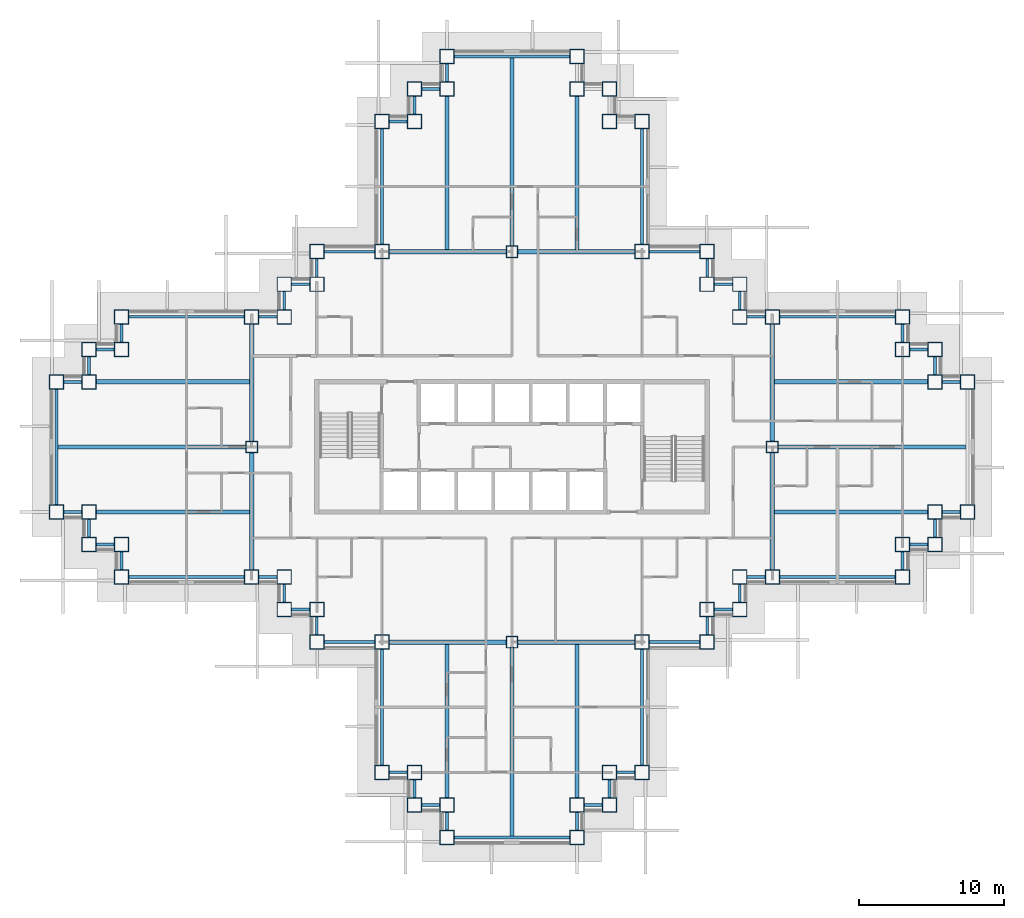
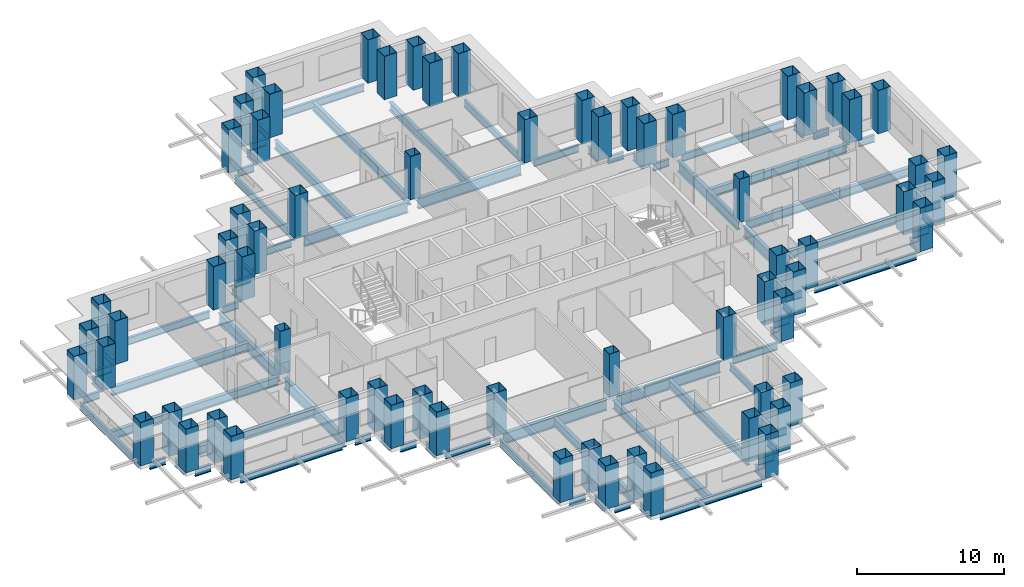
# One storey, part 1 of 15: 79 beams, 68 columns.
"""IFC4 building model written with IfcOpenShell, lengths in metres."""

from ifc_helpers import new_model, si_unit, direction, frame, origin, origin_2d, place, context, subcontext, project, spatial, hollow_rectangle, i_section, extrude, material, material_profile, profile_set, type_object, element, save


model = new_model("IFC4")

# Units and contexts
model_context = context("Model", 3, precision=1e-05, world=origin(), true_north=direction((0.0, 1.0)))
body_context = subcontext(model_context, "Body", "Model", "MODEL_VIEW")
ifc_project = project(units=[si_unit("LENGTHUNIT", "METRE"), si_unit("AREAUNIT", "SQUARE_METRE"), si_unit("VOLUMEUNIT", "CUBIC_METRE"), si_unit("PLANEANGLEUNIT", "RADIAN"), si_unit("MASSUNIT", "GRAM", prefix="KILO")], contexts=[model_context])

# Site, building, storey
site_placement = place(None, origin())
site = spatial("IfcSite", under=ifc_project, at=site_placement, CompositionType="ELEMENT")
building_placement = place(site_placement, origin())
building = spatial("IfcBuilding", under=site, at=building_placement, Name="Caravel Reach Hotel and Residences", CompositionType="ELEMENT")
storey_placement = place(building_placement, frame((0.0, 0.0, 60.0)))
storey = spatial("IfcBuildingStorey", under=building, at=storey_placement, Name="L13", CompositionType="ELEMENT", Elevation=60.0)

# Columns
ifc_material_1 = material(Name="Concrete-filled steel tube Q390B with Concrete C70 infill", Category="concrete")
ifc_material_profile_1 = material_profile(ifc_material_1, hollow_rectangle(XDim=1.0, YDim=1.0, WallThickness=0.031982421875, at=origin_2d()), Name="RHS 1000x1000x32")
ifc_profile_set_1 = profile_set([ifc_material_profile_1], Name="Concrete-filled steel tube Q390B with Concrete C70 infill")
column_type_1 = type_object("IfcColumnType", Name="CFT 1000x1000 Q390B C70", PredefinedType="COLUMN", material=ifc_profile_set_1)
for number, where, z_axis, x_axis, name in (
    (1, (22.5, 4.5, 0.0), (0.0, 0.0, 1.0), (1.0, 0.0, 0.0), "C2 column"),
    (2, (24.75, 4.5, 0.0), (0.0, 0.0, 1.0), (1.0, 0.0, 0.0), "C2 column"),
    (3, (24.75, 2.25, 0.0), (0.0, 0.0, 1.0), (1.0, 0.0, 0.0), "C2 column"),
    (4, (27.0, 2.25, 0.0), (0.0, 0.0, 1.0), (1.0, 0.0, 0.0), "C2 column"),
    (5, (27.0, 0.0, 0.0), (0.0, 0.0, 1.0), (1.0, 0.0, 0.0), "C2 column"),
    (6, (36.0, 0.0, 0.0), (0.0, 0.0, 1.0), (1.0, 0.0, 0.0), "C2 column"),
    (7, (36.0, 2.25, 0.0), (0.0, 0.0, 1.0), (1.0, 0.0, 0.0), "C2 column"),
    (8, (38.25, 2.25, 0.0), (0.0, 0.0, 1.0), (1.0, 0.0, 0.0), "C2 column"),
    (9, (38.25, 4.5, 0.0), (0.0, 0.0, 1.0), (1.0, 0.0, 0.0), "C2 column"),
    (10, (40.5, 4.5, 0.0), (0.0, 0.0, 1.0), (1.0, 0.0, 0.0), "C2 column"),
    (11, (40.5, 13.5, 0.0), (0.0, 0.0, 1.0), (1.0, 0.0, 0.0), "C2 column"),
    (12, (45.0, 13.5, 0.0), (0.0, 0.0, 1.0), (1.0, 0.0, 0.0), "C2 column"),
    (13, (45.0, 15.75, 0.0), (0.0, 0.0, 1.0), (1.0, 0.0, 0.0), "C2 column"),
    (14, (47.25, 15.75, 0.0), (0.0, 0.0, 1.0), (1.0, 0.0, 0.0), "C2 column"),
    (15, (47.25, 18.0, 0.0), (0.0, 0.0, 1.0), (1.0, 0.0, 0.0), "C2 column"),
    (16, (49.5, 18.0, 0.0), (0.0, 0.0, 1.0), (1.0, 0.0, 0.0), "C2 column"),
    (17, (58.5, 18.0, 0.0), (0.0, 0.0, 1.0), (1.0, 0.0, 0.0), "C2 column"),
    (18, (58.5, 20.25, 0.0), (0.0, 0.0, 1.0), (1.0, 0.0, 0.0), "C2 column"),
    (19, (60.75, 20.25, 0.0), (0.0, 0.0, 1.0), (1.0, 0.0, 0.0), "C2 column"),
    (20, (60.75, 22.5, 0.0), (0.0, 0.0, 1.0), (1.0, 0.0, 0.0), "C2 column"),
    (21, (63.0, 22.5, 0.0), (0.0, 0.0, 1.0), (1.0, 0.0, 0.0), "C2 column"),
    (22, (63.0, 31.5, 0.0), (0.0, 0.0, 1.0), (1.0, 0.0, 0.0), "C2 column"),
    (23, (60.75, 31.5, 0.0), (0.0, 0.0, 1.0), (1.0, 0.0, 0.0), "C2 column"),
    (24, (60.75, 33.75, 0.0), (0.0, 0.0, 1.0), (1.0, 0.0, 0.0), "C2 column"),
    (25, (58.5, 33.75, 0.0), (0.0, 0.0, 1.0), (1.0, 0.0, 0.0), "C2 column"),
    (26, (58.5, 36.0, 0.0), (0.0, 0.0, 1.0), (1.0, 0.0, 0.0), "C2 column"),
    (27, (49.5, 36.0, 0.0), (0.0, 0.0, 1.0), (1.0, 0.0, 0.0), "C2 column"),
    (28, (47.25, 36.0, 0.0), (0.0, 0.0, 1.0), (1.0, 0.0, 0.0), "C2 column"),
    (29, (47.25, 38.25, 0.0), (0.0, 0.0, 1.0), (1.0, 0.0, 0.0), "C2 column"),
    (30, (45.0, 38.25, 0.0), (0.0, 0.0, 1.0), (1.0, 0.0, 0.0), "C2 column"),
    (31, (45.0, 40.5, 0.0), (0.0, 0.0, 1.0), (1.0, 0.0, 0.0), "C2 column"),
    (32, (40.5, 40.5, 0.0), (0.0, 0.0, 1.0), (1.0, 0.0, 0.0), "C2 column"),
    (33, (40.5, 49.5, 0.0), (0.0, 0.0, 1.0), (1.0, 0.0, 0.0), "C2 column"),
    (34, (38.25, 49.5, 0.0), (0.0, 0.0, 1.0), (1.0, 0.0, 0.0), "C2 column"),
    (35, (38.25, 51.75, 0.0), (0.0, 0.0, 1.0), (1.0, 0.0, 0.0), "C2 column"),
    (36, (36.0, 51.75, 0.0), (0.0, 0.0, 1.0), (1.0, 0.0, 0.0), "C2 column"),
    (37, (36.0, 54.0, 0.0), (0.0, 0.0, 1.0), (1.0, 0.0, 0.0), "C2 column"),
    (38, (27.0, 54.0, 0.0), (0.0, 0.0, 1.0), (1.0, 0.0, 0.0), "C2 column"),
    (39, (27.0, 51.75, 0.0), (0.0, 0.0, 1.0), (1.0, 0.0, 0.0), "C2 column"),
    (40, (24.75, 51.75, 0.0), (0.0, 0.0, 1.0), (1.0, 0.0, 0.0), "C2 column"),
    (41, (24.75, 49.5, 0.0), (0.0, 0.0, 1.0), (1.0, 0.0, 0.0), "C2 column"),
    (42, (22.5, 49.5, 0.0), (0.0, 0.0, 1.0), (1.0, 0.0, 0.0), "C2 column"),
    (43, (22.5, 40.5, 0.0), (0.0, 0.0, 1.0), (1.0, 0.0, 0.0), "C2 column"),
    (44, (18.0, 40.5, 0.0), (0.0, 0.0, 1.0), (1.0, 0.0, 0.0), "C2 column"),
    (45, (18.0, 38.25, 0.0), (0.0, 0.0, 1.0), (1.0, 0.0, 0.0), "C2 column"),
    (46, (15.75, 38.25, 0.0), (0.0, 0.0, 1.0), (1.0, 0.0, 0.0), "C2 column"),
    (47, (15.75, 36.0, 0.0), (0.0, 0.0, 1.0), (1.0, 0.0, 0.0), "C2 column"),
    (48, (13.5, 36.0, 0.0), (0.0, 0.0, 1.0), (1.0, 0.0, 0.0), "C2 column"),
    (49, (4.5, 36.0, 0.0), (0.0, 0.0, 1.0), (1.0, 0.0, 0.0), "C2 column"),
    (50, (4.5, 33.75, 0.0), (0.0, 0.0, 1.0), (1.0, 0.0, 0.0), "C2 column"),
    (51, (2.25, 33.75, 0.0), (0.0, 0.0, 1.0), (1.0, 0.0, 0.0), "C2 column"),
    (52, (2.25, 31.5, 0.0), (0.0, 0.0, 1.0), (1.0, 0.0, 0.0), "C2 column"),
    (53, (0.0, 31.5, 0.0), (0.0, 0.0, 1.0), (1.0, 0.0, 0.0), "C2 column"),
    (54, (0.0, 22.5, 0.0), (0.0, 0.0, 1.0), (1.0, 0.0, 0.0), "C2 column"),
    (55, (2.25, 22.5, 0.0), (0.0, 0.0, 1.0), (1.0, 0.0, 0.0), "C2 column"),
    (56, (2.25, 20.25, 0.0), (0.0, 0.0, 1.0), (1.0, 0.0, 0.0), "C2 column"),
    (57, (4.5, 20.25, 0.0), (0.0, 0.0, 1.0), (1.0, 0.0, 0.0), "C2 column"),
    (58, (4.5, 18.0, 0.0), (0.0, 0.0, 1.0), (1.0, 0.0, 0.0), "C2 column"),
    (59, (13.5, 18.0, 0.0), (0.0, 0.0, 1.0), (1.0, 0.0, 0.0), "C2 column"),
    (60, (15.75, 18.0, 0.0), (0.0, 0.0, 1.0), (1.0, 0.0, 0.0), "C2 column"),
    (61, (15.75, 15.75, 0.0), (0.0, 0.0, 1.0), (1.0, 0.0, 0.0), "C2 column"),
    (62, (18.0, 15.75, 0.0), (0.0, 0.0, 1.0), (1.0, 0.0, 0.0), "C2 column"),
    (63, (18.0, 13.5, 0.0), (0.0, 0.0, 1.0), (1.0, 0.0, 0.0), "C2 column"),
    (64, (22.5, 13.5, 0.0), (0.0, 0.0, 1.0), (1.0, 0.0, 0.0), "C2 column"),
):
    element("IfcColumn", number, at=place(storey_placement, frame(where, z_axis=z_axis, x_axis=x_axis)), inside=storey, type_object=column_type_1, Name=name, PredefinedType="COLUMN", context=body_context, shape_type="SweptSolid", body=[
        extrude(hollow_rectangle(XDim=1.0, YDim=1.0, WallThickness=0.031982421875, at=origin_2d()), origin(), (0.0, 0.0, 1.0), 3.60009765625),
    ])
ifc_material_2 = material(Name="Concrete-filled steel tube Q390B with Concrete C70 infill", Category="concrete")
ifc_material_profile_2 = material_profile(ifc_material_2, hollow_rectangle(XDim=0.800048828125, YDim=0.800048828125, WallThickness=0.02490234375, at=origin_2d()), Name="RHS 800x800x25")
ifc_profile_set_2 = profile_set([ifc_material_profile_2], Name="Concrete-filled steel tube Q390B with Concrete C70 infill")
column_type_2 = type_object("IfcColumnType", Name="CFT 800x800 Q390B C70", PredefinedType="COLUMN", material=ifc_profile_set_2)
for number, where, z_axis, x_axis, name in (
    (65, (31.5, 40.5, 0.0), (0.0, 0.0, 1.0), (1.0, 0.0, 0.0), "C4 column"),
    (66, (31.5, 13.5, 0.0), (0.0, 0.0, 1.0), (1.0, 0.0, 0.0), "C4 column"),
    (67, (13.5, 27.0, 0.0), (0.0, 0.0, 1.0), (1.0, 0.0, 0.0), "C4 column"),
    (68, (49.5, 27.0, 0.0), (0.0, 0.0, 1.0), (1.0, 0.0, 0.0), "C4 column"),
):
    element("IfcColumn", number, at=place(storey_placement, frame(where, z_axis=z_axis, x_axis=x_axis)), inside=storey, type_object=column_type_2, Name=name, PredefinedType="COLUMN", context=body_context, shape_type="SweptSolid", body=[
        extrude(hollow_rectangle(XDim=0.800048828125, YDim=0.800048828125, WallThickness=0.02490234375, at=origin_2d()), origin(), (0.0, 0.0, 1.0), 3.60009765625),
    ])

# Beams
ifc_material_3 = material(Name="Structural steel Q355B", Category="steel")
ifc_material_profile_3 = material_profile(ifc_material_3, i_section(OverallWidth=0.300048828125, OverallDepth=0.699951171875, WebThickness=0.012939453125, FlangeThickness=0.02392578125, FilletRadius=0.01806640625, at=origin_2d()), Name="HN 700x300x13x24")
ifc_profile_set_3 = profile_set([ifc_material_profile_3], Name="Structural steel Q355B")
beam_type_1 = type_object("IfcBeamType", Name="Beam HN 700x300x13x24", PredefinedType="BEAM", material=ifc_profile_set_3)
beam_1_placement = place(storey_placement, frame((27.0, 40.60009765625, -0.64990234375), z_axis=(0.0, 1.0, 0.0), x_axis=(-1.0, 0.0, 0.0)))
element("IfcBeam", 69, at=beam_1_placement, inside=storey, type_object=beam_type_1, Name="B2 HN 700x300x13x24", PredefinedType="BEAM", context=body_context, shape_type="SweptSolid", body=[
    extrude(i_section(OverallWidth=0.300048828125, OverallDepth=0.699951171875, WebThickness=0.012939453125, FlangeThickness=0.02392578125, FilletRadius=0.01806640625, at=origin_2d()), origin(), (0.0, 0.0, 1.0), 10.699951171875),
])
beam_2_placement = place(storey_placement, frame((31.5, 40.85009765625, -0.64990234375), z_axis=(0.0, 1.0, 0.0), x_axis=(-1.0, 0.0, 0.0)))
element("IfcBeam", 70, at=beam_2_placement, inside=storey, type_object=beam_type_1, Name="B2 HN 700x300x13x24", PredefinedType="BEAM", context=body_context, shape_type="SweptSolid", body=[
    extrude(i_section(OverallWidth=0.300048828125, OverallDepth=0.699951171875, WebThickness=0.012939453125, FlangeThickness=0.02392578125, FilletRadius=0.01806640625, at=origin_2d()), origin(), (0.0, 0.0, 1.0), 13.0498046875),
])
for number, where, z_axis, x_axis, name in (
    (71, (36.0, 40.60009765625, -0.64990234375), (0.0, 1.0, 0.0), (-1.0, 0.0, 0.0), "B2 HN 700x300x13x24"),
    (72, (27.0, 13.39990234375, -0.64990234375), (0.0, -1.0, 0.0), (1.0, 0.0, 0.0), "B2 HN 700x300x13x24"),
):
    element("IfcBeam", number, at=place(storey_placement, frame(where, z_axis=z_axis, x_axis=x_axis)), inside=storey, type_object=beam_type_1, Name=name, PredefinedType="BEAM", context=body_context, shape_type="SweptSolid", body=[
        extrude(i_section(OverallWidth=0.300048828125, OverallDepth=0.699951171875, WebThickness=0.012939453125, FlangeThickness=0.02392578125, FilletRadius=0.01806640625, at=origin_2d()), origin(), (0.0, 0.0, 1.0), 10.699951171875),
    ])
beam_3_placement = place(storey_placement, frame((31.5, 13.14990234375, -0.64990234375), z_axis=(0.0, -1.0, 0.0), x_axis=(1.0, 0.0, 0.0)))
element("IfcBeam", 73, at=beam_3_placement, inside=storey, type_object=beam_type_1, Name="B2 HN 700x300x13x24", PredefinedType="BEAM", context=body_context, shape_type="SweptSolid", body=[
    extrude(i_section(OverallWidth=0.300048828125, OverallDepth=0.699951171875, WebThickness=0.012939453125, FlangeThickness=0.02392578125, FilletRadius=0.01806640625, at=origin_2d()), origin(), (0.0, 0.0, 1.0), 13.0498046875),
])
for number, where, z_axis, x_axis, name in (
    (74, (36.0, 13.39990234375, -0.64990234375), (0.0, -1.0, 0.0), (1.0, 0.0, 0.0), "B2 HN 700x300x13x24"),
    (75, (49.60009765625, 22.5, -0.64990234375), (1.0, 0.0, 0.0), (0.0, 1.0, 0.0), "B2 HN 700x300x13x24"),
):
    element("IfcBeam", number, at=place(storey_placement, frame(where, z_axis=z_axis, x_axis=x_axis)), inside=storey, type_object=beam_type_1, Name=name, PredefinedType="BEAM", context=body_context, shape_type="SweptSolid", body=[
        extrude(i_section(OverallWidth=0.300048828125, OverallDepth=0.699951171875, WebThickness=0.012939453125, FlangeThickness=0.02392578125, FilletRadius=0.01806640625, at=origin_2d()), origin(), (0.0, 0.0, 1.0), 10.699951171875),
    ])
beam_4_placement = place(storey_placement, frame((49.85009765625, 27.0, -0.64990234375), z_axis=(1.0, 0.0, 0.0), x_axis=(0.0, 1.0, 0.0)))
element("IfcBeam", 76, at=beam_4_placement, inside=storey, type_object=beam_type_1, Name="B2 HN 700x300x13x24", PredefinedType="BEAM", context=body_context, shape_type="SweptSolid", body=[
    extrude(i_section(OverallWidth=0.300048828125, OverallDepth=0.699951171875, WebThickness=0.012939453125, FlangeThickness=0.02392578125, FilletRadius=0.01806640625, at=origin_2d()), origin(), (0.0, 0.0, 1.0), 13.0498046875),
])
for number, where, z_axis, x_axis, name in (
    (77, (49.60009765625, 31.5, -0.64990234375), (1.0, 0.0, 0.0), (0.0, 1.0, 0.0), "B2 HN 700x300x13x24"),
    (78, (13.39990234375, 22.5, -0.64990234375), (-1.0, 0.0, 0.0), (0.0, -1.0, 0.0), "B2 HN 700x300x13x24"),
):
    element("IfcBeam", number, at=place(storey_placement, frame(where, z_axis=z_axis, x_axis=x_axis)), inside=storey, type_object=beam_type_1, Name=name, PredefinedType="BEAM", context=body_context, shape_type="SweptSolid", body=[
        extrude(i_section(OverallWidth=0.300048828125, OverallDepth=0.699951171875, WebThickness=0.012939453125, FlangeThickness=0.02392578125, FilletRadius=0.01806640625, at=origin_2d()), origin(), (0.0, 0.0, 1.0), 10.699951171875),
    ])
beam_5_placement = place(storey_placement, frame((13.14990234375, 27.0, -0.64990234375), z_axis=(-1.0, 0.0, 0.0), x_axis=(0.0, -1.0, 0.0)))
element("IfcBeam", 79, at=beam_5_placement, inside=storey, type_object=beam_type_1, Name="B2 HN 700x300x13x24", PredefinedType="BEAM", context=body_context, shape_type="SweptSolid", body=[
    extrude(i_section(OverallWidth=0.300048828125, OverallDepth=0.699951171875, WebThickness=0.012939453125, FlangeThickness=0.02392578125, FilletRadius=0.01806640625, at=origin_2d()), origin(), (0.0, 0.0, 1.0), 13.0498046875),
])
beam_6_placement = place(storey_placement, frame((13.39990234375, 31.5, -0.64990234375), z_axis=(-1.0, 0.0, 0.0), x_axis=(0.0, -1.0, 0.0)))
element("IfcBeam", 80, at=beam_6_placement, inside=storey, type_object=beam_type_1, Name="B2 HN 700x300x13x24", PredefinedType="BEAM", context=body_context, shape_type="SweptSolid", body=[
    extrude(i_section(OverallWidth=0.300048828125, OverallDepth=0.699951171875, WebThickness=0.012939453125, FlangeThickness=0.02392578125, FilletRadius=0.01806640625, at=origin_2d()), origin(), (0.0, 0.0, 1.0), 10.699951171875),
])
ifc_material_4 = material(Name="Structural steel Q355B", Category="steel")
ifc_material_profile_4 = material_profile(ifc_material_4, i_section(OverallWidth=0.300048828125, OverallDepth=0.89990234375, WebThickness=0.01611328125, FlangeThickness=0.028076171875, FilletRadius=0.01806640625, at=origin_2d()), Name="HN 900x300x16x28")
ifc_profile_set_4 = profile_set([ifc_material_profile_4], Name="Structural steel Q355B")
beam_type_2 = type_object("IfcBeamType", Name="Beam HN 900x300x16x28", PredefinedType="BEAM", material=ifc_profile_set_4)
for number, where, z_axis, x_axis, name in (
    (81, (23.0, 40.5, -0.75), (1.0, 0.0, 0.0), (0.0, 1.0, 0.0), "B3 HN 900x300x16x28"),
    (82, (31.89990234375, 40.5, -0.75), (1.0, 0.0, 0.0), (0.0, 1.0, 0.0), "B3 HN 900x300x16x28"),
    (83, (23.0, 13.5, -0.75), (1.0, 0.0, 0.0), (0.0, 1.0, 0.0), "B3 HN 900x300x16x28"),
    (84, (31.89990234375, 13.5, -0.75), (1.0, 0.0, 0.0), (0.0, 1.0, 0.0), "B3 HN 900x300x16x28"),
    (85, (13.5, 18.5, -0.75), (0.0, 1.0, 0.0), (-1.0, 0.0, 0.0), "B3 HN 900x300x16x28"),
    (86, (13.5, 27.39990234375, -0.75), (0.0, 1.0, 0.0), (-1.0, 0.0, 0.0), "B3 HN 900x300x16x28"),
    (87, (49.5, 18.5, -0.75), (0.0, 1.0, 0.0), (-1.0, 0.0, 0.0), "B3 HN 900x300x16x28"),
    (88, (49.5, 27.39990234375, -0.75), (0.0, 1.0, 0.0), (-1.0, 0.0, 0.0), "B3 HN 900x300x16x28"),
):
    element("IfcBeam", number, at=place(storey_placement, frame(where, z_axis=z_axis, x_axis=x_axis)), inside=storey, type_object=beam_type_2, Name=name, PredefinedType="BEAM", context=body_context, shape_type="SweptSolid", body=[
        extrude(i_section(OverallWidth=0.300048828125, OverallDepth=0.89990234375, WebThickness=0.01611328125, FlangeThickness=0.028076171875, FilletRadius=0.01806640625, at=origin_2d()), origin(), (0.0, 0.0, 1.0), 8.10009765625),
    ])
ifc_material_5 = material(Name="Structural steel Q355B", Category="steel")
ifc_material_profile_5 = material_profile(ifc_material_5, i_section(OverallWidth=0.199951171875, OverallDepth=0.60009765625, WebThickness=0.010986328125, FlangeThickness=0.01708984375, FilletRadius=0.012939453125, at=origin_2d()), Name="HN 600x200x11x17")
ifc_profile_set_5 = profile_set([ifc_material_profile_5], Name="Structural steel Q355B")
beam_type_3 = type_object("IfcBeamType", Name="Spandrel beam HN 600x200x11x17", PredefinedType="SPANDREL", material=ifc_profile_set_5)
for number, where, z_axis, x_axis, name in (
    (89, (23.0, 4.5, -0.60009765625), (1.0, 0.0, 0.0), (0.0, 1.0, 0.0), "SP1 HN 600x200x11x17"),
    (90, (24.75, 4.0, -0.60009765625), (0.0, -1.0, 0.0), (1.0, 0.0, 0.0), "SP1 HN 600x200x11x17"),
    (91, (25.25, 2.25, -0.60009765625), (1.0, 0.0, 0.0), (0.0, 1.0, 0.0), "SP1 HN 600x200x11x17"),
    (92, (27.0, 1.75, -0.60009765625), (0.0, -1.0, 0.0), (1.0, 0.0, 0.0), "SP1 HN 600x200x11x17"),
):
    element("IfcBeam", number, at=place(storey_placement, frame(where, z_axis=z_axis, x_axis=x_axis)), inside=storey, type_object=beam_type_3, Name=name, PredefinedType="SPANDREL", context=body_context, shape_type="SweptSolid", body=[
        extrude(i_section(OverallWidth=0.199951171875, OverallDepth=0.60009765625, WebThickness=0.010986328125, FlangeThickness=0.01708984375, FilletRadius=0.012939453125, at=origin_2d()), origin(), (0.0, 0.0, 1.0), 1.25),
    ])
beam_7_placement = place(storey_placement, frame((27.5, 0.0, -0.60009765625), z_axis=(1.0, 0.0, 0.0), x_axis=(0.0, 1.0, 0.0)))
element("IfcBeam", 93, at=beam_7_placement, inside=storey, type_object=beam_type_3, Name="SP1 HN 600x200x11x17", PredefinedType="SPANDREL", context=body_context, shape_type="SweptSolid", body=[
    extrude(i_section(OverallWidth=0.199951171875, OverallDepth=0.60009765625, WebThickness=0.010986328125, FlangeThickness=0.01708984375, FilletRadius=0.012939453125, at=origin_2d()), origin(), (0.0, 0.0, 1.0), 8.0),
])
for number, where, z_axis, x_axis, name in (
    (94, (36.0, 0.5, -0.60009765625), (0.0, 1.0, 0.0), (-1.0, 0.0, 0.0), "SP1 HN 600x200x11x17"),
    (95, (36.5, 2.25, -0.60009765625), (1.0, 0.0, 0.0), (0.0, 1.0, 0.0), "SP1 HN 600x200x11x17"),
    (96, (38.25, 2.75, -0.60009765625), (0.0, 1.0, 0.0), (-1.0, 0.0, 0.0), "SP1 HN 600x200x11x17"),
    (97, (38.75, 4.5, -0.60009765625), (1.0, 0.0, 0.0), (0.0, 1.0, 0.0), "SP1 HN 600x200x11x17"),
):
    element("IfcBeam", number, at=place(storey_placement, frame(where, z_axis=z_axis, x_axis=x_axis)), inside=storey, type_object=beam_type_3, Name=name, PredefinedType="SPANDREL", context=body_context, shape_type="SweptSolid", body=[
        extrude(i_section(OverallWidth=0.199951171875, OverallDepth=0.60009765625, WebThickness=0.010986328125, FlangeThickness=0.01708984375, FilletRadius=0.012939453125, at=origin_2d()), origin(), (0.0, 0.0, 1.0), 1.25),
    ])
beam_8_placement = place(storey_placement, frame((40.5, 5.0, -0.60009765625), z_axis=(0.0, 1.0, 0.0), x_axis=(-1.0, 0.0, 0.0)))
element("IfcBeam", 98, at=beam_8_placement, inside=storey, type_object=beam_type_3, Name="SP1 HN 600x200x11x17", PredefinedType="SPANDREL", context=body_context, shape_type="SweptSolid", body=[
    extrude(i_section(OverallWidth=0.199951171875, OverallDepth=0.60009765625, WebThickness=0.010986328125, FlangeThickness=0.01708984375, FilletRadius=0.012939453125, at=origin_2d()), origin(), (0.0, 0.0, 1.0), 8.0),
])
beam_9_placement = place(storey_placement, frame((41.0, 13.5, -0.60009765625), z_axis=(1.0, 0.0, 0.0), x_axis=(0.0, 1.0, 0.0)))
element("IfcBeam", 99, at=beam_9_placement, inside=storey, type_object=beam_type_3, Name="SP1 HN 600x200x11x17", PredefinedType="SPANDREL", context=body_context, shape_type="SweptSolid", body=[
    extrude(i_section(OverallWidth=0.199951171875, OverallDepth=0.60009765625, WebThickness=0.010986328125, FlangeThickness=0.01708984375, FilletRadius=0.012939453125, at=origin_2d()), origin(), (0.0, 0.0, 1.0), 3.5),
])
for number, where, z_axis, x_axis, name in (
    (100, (45.0, 14.0, -0.60009765625), (0.0, 1.0, 0.0), (-1.0, 0.0, 0.0), "SP1 HN 600x200x11x17"),
    (101, (45.5, 15.75, -0.60009765625), (1.0, 0.0, 0.0), (0.0, 1.0, 0.0), "SP1 HN 600x200x11x17"),
    (102, (47.25, 16.25, -0.60009765625), (0.0, 1.0, 0.0), (-1.0, 0.0, 0.0), "SP1 HN 600x200x11x17"),
    (103, (47.75, 18.0, -0.60009765625), (1.0, 0.0, 0.0), (0.0, 1.0, 0.0), "SP1 HN 600x200x11x17"),
):
    element("IfcBeam", number, at=place(storey_placement, frame(where, z_axis=z_axis, x_axis=x_axis)), inside=storey, type_object=beam_type_3, Name=name, PredefinedType="SPANDREL", context=body_context, shape_type="SweptSolid", body=[
        extrude(i_section(OverallWidth=0.199951171875, OverallDepth=0.60009765625, WebThickness=0.010986328125, FlangeThickness=0.01708984375, FilletRadius=0.012939453125, at=origin_2d()), origin(), (0.0, 0.0, 1.0), 1.25),
    ])
beam_10_placement = place(storey_placement, frame((50.0, 18.0, -0.60009765625), z_axis=(1.0, 0.0, 0.0), x_axis=(0.0, 1.0, 0.0)))
element("IfcBeam", 104, at=beam_10_placement, inside=storey, type_object=beam_type_3, Name="SP1 HN 600x200x11x17", PredefinedType="SPANDREL", context=body_context, shape_type="SweptSolid", body=[
    extrude(i_section(OverallWidth=0.199951171875, OverallDepth=0.60009765625, WebThickness=0.010986328125, FlangeThickness=0.01708984375, FilletRadius=0.012939453125, at=origin_2d()), origin(), (0.0, 0.0, 1.0), 8.0),
])
for number, where, z_axis, x_axis, name in (
    (105, (58.5, 18.5, -0.60009765625), (0.0, 1.0, 0.0), (-1.0, 0.0, 0.0), "SP1 HN 600x200x11x17"),
    (106, (59.0, 20.25, -0.60009765625), (1.0, 0.0, 0.0), (0.0, 1.0, 0.0), "SP1 HN 600x200x11x17"),
    (107, (60.75, 20.75, -0.60009765625), (0.0, 1.0, 0.0), (-1.0, 0.0, 0.0), "SP1 HN 600x200x11x17"),
    (108, (61.25, 22.5, -0.60009765625), (1.0, 0.0, 0.0), (0.0, 1.0, 0.0), "SP1 HN 600x200x11x17"),
    (109, (62.5, 31.5, -0.60009765625), (-1.0, 0.0, 0.0), (0.0, -1.0, 0.0), "SP1 HN 600x200x11x17"),
    (110, (60.75, 32.0, -0.60009765625), (0.0, 1.0, 0.0), (-1.0, 0.0, 0.0), "SP1 HN 600x200x11x17"),
    (111, (60.25, 33.75, -0.60009765625), (-1.0, 0.0, 0.0), (0.0, -1.0, 0.0), "SP1 HN 600x200x11x17"),
    (112, (58.5, 34.25, -0.60009765625), (0.0, 1.0, 0.0), (-1.0, 0.0, 0.0), "SP1 HN 600x200x11x17"),
):
    element("IfcBeam", number, at=place(storey_placement, frame(where, z_axis=z_axis, x_axis=x_axis)), inside=storey, type_object=beam_type_3, Name=name, PredefinedType="SPANDREL", context=body_context, shape_type="SweptSolid", body=[
        extrude(i_section(OverallWidth=0.199951171875, OverallDepth=0.60009765625, WebThickness=0.010986328125, FlangeThickness=0.01708984375, FilletRadius=0.012939453125, at=origin_2d()), origin(), (0.0, 0.0, 1.0), 1.25),
    ])
beam_11_placement = place(storey_placement, frame((58.0, 36.0, -0.60009765625), z_axis=(-1.0, 0.0, 0.0), x_axis=(0.0, -1.0, 0.0)))
element("IfcBeam", 113, at=beam_11_placement, inside=storey, type_object=beam_type_3, Name="SP1 HN 600x200x11x17", PredefinedType="SPANDREL", context=body_context, shape_type="SweptSolid", body=[
    extrude(i_section(OverallWidth=0.199951171875, OverallDepth=0.60009765625, WebThickness=0.010986328125, FlangeThickness=0.01708984375, FilletRadius=0.012939453125, at=origin_2d()), origin(), (0.0, 0.0, 1.0), 8.0),
])
for number, where, z_axis, x_axis, name in (
    (114, (49.0, 36.0, -0.60009765625), (-1.0, 0.0, 0.0), (0.0, -1.0, 0.0), "SP1 HN 600x200x11x17"),
    (115, (47.25, 36.5, -0.60009765625), (0.0, 1.0, 0.0), (-1.0, 0.0, 0.0), "SP1 HN 600x200x11x17"),
    (116, (46.75, 38.25, -0.60009765625), (-1.0, 0.0, 0.0), (0.0, -1.0, 0.0), "SP1 HN 600x200x11x17"),
    (117, (45.0, 38.75, -0.60009765625), (0.0, 1.0, 0.0), (-1.0, 0.0, 0.0), "SP1 HN 600x200x11x17"),
):
    element("IfcBeam", number, at=place(storey_placement, frame(where, z_axis=z_axis, x_axis=x_axis)), inside=storey, type_object=beam_type_3, Name=name, PredefinedType="SPANDREL", context=body_context, shape_type="SweptSolid", body=[
        extrude(i_section(OverallWidth=0.199951171875, OverallDepth=0.60009765625, WebThickness=0.010986328125, FlangeThickness=0.01708984375, FilletRadius=0.012939453125, at=origin_2d()), origin(), (0.0, 0.0, 1.0), 1.25),
    ])
beam_12_placement = place(storey_placement, frame((44.5, 40.5, -0.60009765625), z_axis=(-1.0, 0.0, 0.0), x_axis=(0.0, -1.0, 0.0)))
element("IfcBeam", 118, at=beam_12_placement, inside=storey, type_object=beam_type_3, Name="SP1 HN 600x200x11x17", PredefinedType="SPANDREL", context=body_context, shape_type="SweptSolid", body=[
    extrude(i_section(OverallWidth=0.199951171875, OverallDepth=0.60009765625, WebThickness=0.010986328125, FlangeThickness=0.01708984375, FilletRadius=0.012939453125, at=origin_2d()), origin(), (0.0, 0.0, 1.0), 3.5),
])
for number, where, z_axis, x_axis, name in (
    (119, (40.5, 41.0, -0.60009765625), (0.0, 1.0, 0.0), (-1.0, 0.0, 0.0), "SP1 HN 600x200x11x17"),
    (120, (35.5, 54.0, -0.60009765625), (-1.0, 0.0, 0.0), (0.0, -1.0, 0.0), "SP1 HN 600x200x11x17"),
):
    element("IfcBeam", number, at=place(storey_placement, frame(where, z_axis=z_axis, x_axis=x_axis)), inside=storey, type_object=beam_type_3, Name=name, PredefinedType="SPANDREL", context=body_context, shape_type="SweptSolid", body=[
        extrude(i_section(OverallWidth=0.199951171875, OverallDepth=0.60009765625, WebThickness=0.010986328125, FlangeThickness=0.01708984375, FilletRadius=0.012939453125, at=origin_2d()), origin(), (0.0, 0.0, 1.0), 8.0),
    ])
for number, where, z_axis, x_axis, name in (
    (121, (27.0, 53.5, -0.60009765625), (0.0, -1.0, 0.0), (1.0, 0.0, 0.0), "SP1 HN 600x200x11x17"),
    (122, (26.5, 51.75, -0.60009765625), (-1.0, 0.0, 0.0), (0.0, -1.0, 0.0), "SP1 HN 600x200x11x17"),
    (123, (24.75, 51.25, -0.60009765625), (0.0, -1.0, 0.0), (1.0, 0.0, 0.0), "SP1 HN 600x200x11x17"),
    (124, (24.25, 49.5, -0.60009765625), (-1.0, 0.0, 0.0), (0.0, -1.0, 0.0), "SP1 HN 600x200x11x17"),
):
    element("IfcBeam", number, at=place(storey_placement, frame(where, z_axis=z_axis, x_axis=x_axis)), inside=storey, type_object=beam_type_3, Name=name, PredefinedType="SPANDREL", context=body_context, shape_type="SweptSolid", body=[
        extrude(i_section(OverallWidth=0.199951171875, OverallDepth=0.60009765625, WebThickness=0.010986328125, FlangeThickness=0.01708984375, FilletRadius=0.012939453125, at=origin_2d()), origin(), (0.0, 0.0, 1.0), 1.25),
    ])
beam_13_placement = place(storey_placement, frame((22.5, 49.0, -0.60009765625), z_axis=(0.0, -1.0, 0.0), x_axis=(1.0, 0.0, 0.0)))
element("IfcBeam", 125, at=beam_13_placement, inside=storey, type_object=beam_type_3, Name="SP1 HN 600x200x11x17", PredefinedType="SPANDREL", context=body_context, shape_type="SweptSolid", body=[
    extrude(i_section(OverallWidth=0.199951171875, OverallDepth=0.60009765625, WebThickness=0.010986328125, FlangeThickness=0.01708984375, FilletRadius=0.012939453125, at=origin_2d()), origin(), (0.0, 0.0, 1.0), 8.0),
])
beam_14_placement = place(storey_placement, frame((22.0, 40.5, -0.60009765625), z_axis=(-1.0, 0.0, 0.0), x_axis=(0.0, -1.0, 0.0)))
element("IfcBeam", 126, at=beam_14_placement, inside=storey, type_object=beam_type_3, Name="SP1 HN 600x200x11x17", PredefinedType="SPANDREL", context=body_context, shape_type="SweptSolid", body=[
    extrude(i_section(OverallWidth=0.199951171875, OverallDepth=0.60009765625, WebThickness=0.010986328125, FlangeThickness=0.01708984375, FilletRadius=0.012939453125, at=origin_2d()), origin(), (0.0, 0.0, 1.0), 3.5),
])
for number, where, z_axis, x_axis, name in (
    (127, (18.0, 40.0, -0.60009765625), (0.0, -1.0, 0.0), (1.0, 0.0, 0.0), "SP1 HN 600x200x11x17"),
    (128, (17.5, 38.25, -0.60009765625), (-1.0, 0.0, 0.0), (0.0, -1.0, 0.0), "SP1 HN 600x200x11x17"),
    (129, (15.75, 37.75, -0.60009765625), (0.0, -1.0, 0.0), (1.0, 0.0, 0.0), "SP1 HN 600x200x11x17"),
    (130, (15.25, 36.0, -0.60009765625), (-1.0, 0.0, 0.0), (0.0, -1.0, 0.0), "SP1 HN 600x200x11x17"),
):
    element("IfcBeam", number, at=place(storey_placement, frame(where, z_axis=z_axis, x_axis=x_axis)), inside=storey, type_object=beam_type_3, Name=name, PredefinedType="SPANDREL", context=body_context, shape_type="SweptSolid", body=[
        extrude(i_section(OverallWidth=0.199951171875, OverallDepth=0.60009765625, WebThickness=0.010986328125, FlangeThickness=0.01708984375, FilletRadius=0.012939453125, at=origin_2d()), origin(), (0.0, 0.0, 1.0), 1.25),
    ])
beam_15_placement = place(storey_placement, frame((13.0, 36.0, -0.60009765625), z_axis=(-1.0, 0.0, 0.0), x_axis=(0.0, -1.0, 0.0)))
element("IfcBeam", 131, at=beam_15_placement, inside=storey, type_object=beam_type_3, Name="SP1 HN 600x200x11x17", PredefinedType="SPANDREL", context=body_context, shape_type="SweptSolid", body=[
    extrude(i_section(OverallWidth=0.199951171875, OverallDepth=0.60009765625, WebThickness=0.010986328125, FlangeThickness=0.01708984375, FilletRadius=0.012939453125, at=origin_2d()), origin(), (0.0, 0.0, 1.0), 8.0),
])
for number, where, z_axis, x_axis, name in (
    (132, (4.5, 35.5, -0.60009765625), (0.0, -1.0, 0.0), (1.0, 0.0, 0.0), "SP1 HN 600x200x11x17"),
    (133, (4.0, 33.75, -0.60009765625), (-1.0, 0.0, 0.0), (0.0, -1.0, 0.0), "SP1 HN 600x200x11x17"),
    (134, (2.25, 33.25, -0.60009765625), (0.0, -1.0, 0.0), (1.0, 0.0, 0.0), "SP1 HN 600x200x11x17"),
    (135, (1.75, 31.5, -0.60009765625), (-1.0, 0.0, 0.0), (0.0, -1.0, 0.0), "SP1 HN 600x200x11x17"),
):
    element("IfcBeam", number, at=place(storey_placement, frame(where, z_axis=z_axis, x_axis=x_axis)), inside=storey, type_object=beam_type_3, Name=name, PredefinedType="SPANDREL", context=body_context, shape_type="SweptSolid", body=[
        extrude(i_section(OverallWidth=0.199951171875, OverallDepth=0.60009765625, WebThickness=0.010986328125, FlangeThickness=0.01708984375, FilletRadius=0.012939453125, at=origin_2d()), origin(), (0.0, 0.0, 1.0), 1.25),
    ])
beam_16_placement = place(storey_placement, frame((0.0, 31.0, -0.60009765625), z_axis=(0.0, -1.0, 0.0), x_axis=(1.0, 0.0, 0.0)))
element("IfcBeam", 136, at=beam_16_placement, inside=storey, type_object=beam_type_3, Name="SP1 HN 600x200x11x17", PredefinedType="SPANDREL", context=body_context, shape_type="SweptSolid", body=[
    extrude(i_section(OverallWidth=0.199951171875, OverallDepth=0.60009765625, WebThickness=0.010986328125, FlangeThickness=0.01708984375, FilletRadius=0.012939453125, at=origin_2d()), origin(), (0.0, 0.0, 1.0), 8.0),
])
for number, where, z_axis, x_axis, name in (
    (137, (0.5, 22.5, -0.60009765625), (1.0, 0.0, 0.0), (0.0, 1.0, 0.0), "SP1 HN 600x200x11x17"),
    (138, (2.25, 22.0, -0.60009765625), (0.0, -1.0, 0.0), (1.0, 0.0, 0.0), "SP1 HN 600x200x11x17"),
    (139, (2.75, 20.25, -0.60009765625), (1.0, 0.0, 0.0), (0.0, 1.0, 0.0), "SP1 HN 600x200x11x17"),
    (140, (4.5, 19.75, -0.60009765625), (0.0, -1.0, 0.0), (1.0, 0.0, 0.0), "SP1 HN 600x200x11x17"),
):
    element("IfcBeam", number, at=place(storey_placement, frame(where, z_axis=z_axis, x_axis=x_axis)), inside=storey, type_object=beam_type_3, Name=name, PredefinedType="SPANDREL", context=body_context, shape_type="SweptSolid", body=[
        extrude(i_section(OverallWidth=0.199951171875, OverallDepth=0.60009765625, WebThickness=0.010986328125, FlangeThickness=0.01708984375, FilletRadius=0.012939453125, at=origin_2d()), origin(), (0.0, 0.0, 1.0), 1.25),
    ])
beam_17_placement = place(storey_placement, frame((5.0, 18.0, -0.60009765625), z_axis=(1.0, 0.0, 0.0), x_axis=(0.0, 1.0, 0.0)))
element("IfcBeam", 141, at=beam_17_placement, inside=storey, type_object=beam_type_3, Name="SP1 HN 600x200x11x17", PredefinedType="SPANDREL", context=body_context, shape_type="SweptSolid", body=[
    extrude(i_section(OverallWidth=0.199951171875, OverallDepth=0.60009765625, WebThickness=0.010986328125, FlangeThickness=0.01708984375, FilletRadius=0.012939453125, at=origin_2d()), origin(), (0.0, 0.0, 1.0), 8.0),
])
for number, where, z_axis, x_axis, name in (
    (142, (14.0, 18.0, -0.60009765625), (1.0, 0.0, 0.0), (0.0, 1.0, 0.0), "SP1 HN 600x200x11x17"),
    (143, (15.75, 17.5, -0.60009765625), (0.0, -1.0, 0.0), (1.0, 0.0, 0.0), "SP1 HN 600x200x11x17"),
    (144, (16.25, 15.75, -0.60009765625), (1.0, 0.0, 0.0), (0.0, 1.0, 0.0), "SP1 HN 600x200x11x17"),
    (145, (18.0, 15.25, -0.60009765625), (0.0, -1.0, 0.0), (1.0, 0.0, 0.0), "SP1 HN 600x200x11x17"),
):
    element("IfcBeam", number, at=place(storey_placement, frame(where, z_axis=z_axis, x_axis=x_axis)), inside=storey, type_object=beam_type_3, Name=name, PredefinedType="SPANDREL", context=body_context, shape_type="SweptSolid", body=[
        extrude(i_section(OverallWidth=0.199951171875, OverallDepth=0.60009765625, WebThickness=0.010986328125, FlangeThickness=0.01708984375, FilletRadius=0.012939453125, at=origin_2d()), origin(), (0.0, 0.0, 1.0), 1.25),
    ])
beam_18_placement = place(storey_placement, frame((18.5, 13.5, -0.60009765625), z_axis=(1.0, 0.0, 0.0), x_axis=(0.0, 1.0, 0.0)))
element("IfcBeam", 146, at=beam_18_placement, inside=storey, type_object=beam_type_3, Name="SP1 HN 600x200x11x17", PredefinedType="SPANDREL", context=body_context, shape_type="SweptSolid", body=[
    extrude(i_section(OverallWidth=0.199951171875, OverallDepth=0.60009765625, WebThickness=0.010986328125, FlangeThickness=0.01708984375, FilletRadius=0.012939453125, at=origin_2d()), origin(), (0.0, 0.0, 1.0), 3.5),
])
beam_19_placement = place(storey_placement, frame((22.5, 13.0, -0.60009765625), z_axis=(0.0, -1.0, 0.0), x_axis=(1.0, 0.0, 0.0)))
element("IfcBeam", 147, at=beam_19_placement, inside=storey, type_object=beam_type_3, Name="SP1 HN 600x200x11x17", PredefinedType="SPANDREL", context=body_context, shape_type="SweptSolid", body=[
    extrude(i_section(OverallWidth=0.199951171875, OverallDepth=0.60009765625, WebThickness=0.010986328125, FlangeThickness=0.01708984375, FilletRadius=0.012939453125, at=origin_2d()), origin(), (0.0, 0.0, 1.0), 8.0),
])

save(model, "model.ifc")
